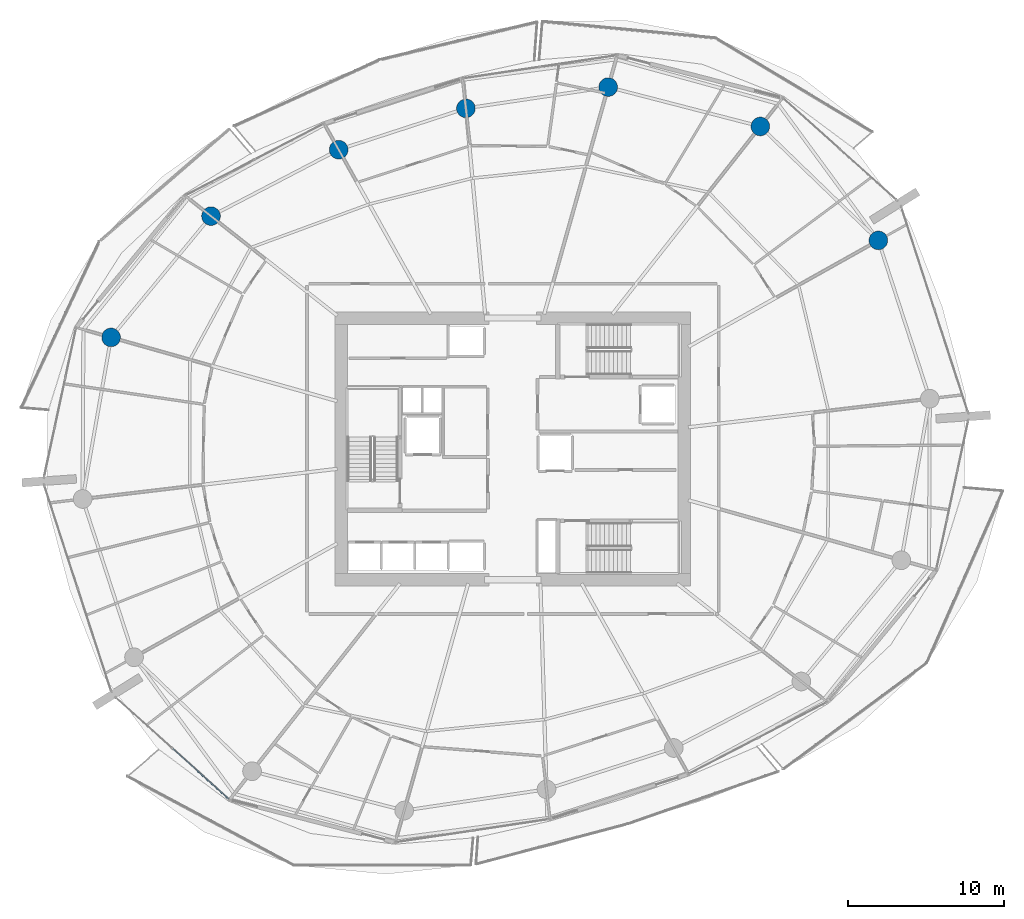
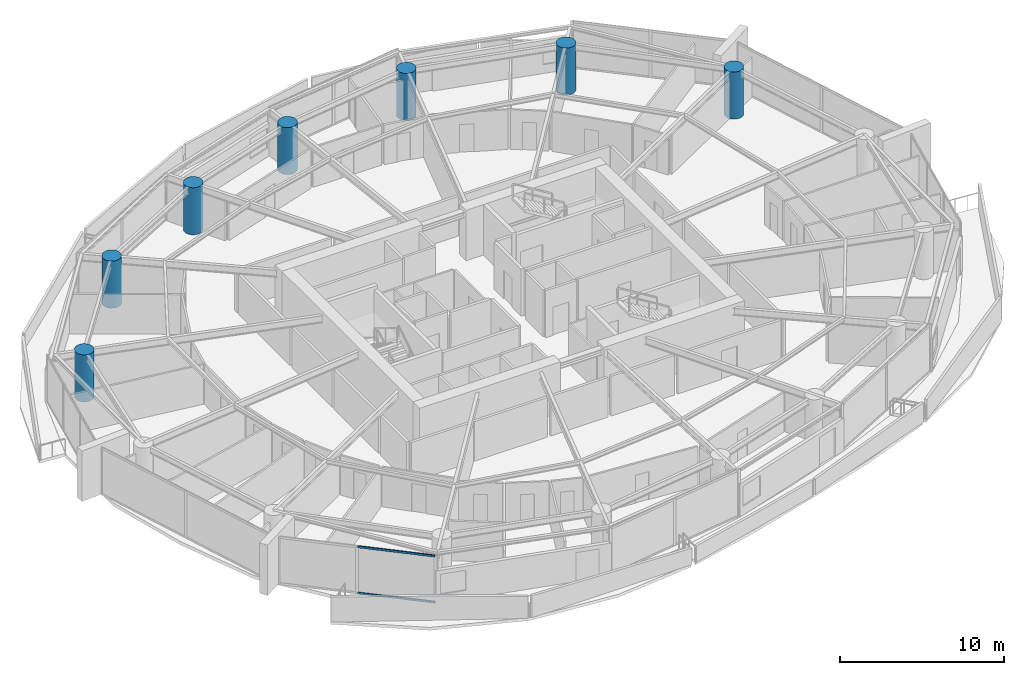
# One storey, part 4 of 22: 7 columns, 2 members, 1 element without a shape of its own.
"""IFC4 building model written with IfcOpenShell, lengths in metres."""

from ifc_helpers import new_model, si_unit, direction, frame, origin, origin_2d, place, context, subcontext, project, spatial, rectangle, circle, extrude, material, layer, layer_set, material_profile, profile_set, type_object, element, aggregate, save


model = new_model("IFC4")

# Units and contexts
model_context = context("Model", 3, precision=1e-05, world=origin(), true_north=direction((0.0, 1.0)))
body_context = subcontext(model_context, "Body", "Model", "MODEL_VIEW")
ifc_project = project(units=[si_unit("LENGTHUNIT", "METRE"), si_unit("AREAUNIT", "SQUARE_METRE"), si_unit("VOLUMEUNIT", "CUBIC_METRE"), si_unit("PLANEANGLEUNIT", "RADIAN"), si_unit("MASSUNIT", "GRAM", prefix="KILO")], contexts=[model_context])

# Site, building, storey
site_placement = place(None, origin())
site = spatial("IfcSite", under=ifc_project, at=site_placement, CompositionType="ELEMENT")
building_placement = place(site_placement, origin())
building = spatial("IfcBuilding", under=site, at=building_placement, Name="Kazma Halo Residences", CompositionType="ELEMENT")
storey_placement = place(building_placement, frame((0.0, 0.0, 90.14990234375)))
storey = spatial("IfcBuildingStorey", under=building, at=storey_placement, Name="L22", CompositionType="ELEMENT", Elevation=90.14990234375)

# Columns
ifc_material_1 = material(Name="Concrete C80/95", Category="concrete")
ifc_material_profile_1 = material_profile(ifc_material_1, circle(Radius=0.60009765625, at=origin_2d()), Name="CIRC1200")
ifc_profile_set_1 = profile_set([ifc_material_profile_1], Name="Concrete C80/95")
column_type = type_object("IfcColumnType", Name="COL-PERIM-1200", PredefinedType="COLUMN", material=ifc_profile_set_1)
for number, where, z_axis, x_axis, name in (
    (1, (71.9033203125, 55.386474609375, 0.0), (0.0, 0.0, 1.0), (1.0, 0.0, 0.0), "L22 perimeter ring column P01"),
    (2, (64.323486328125, 62.706298828125, 0.0), (0.0, 0.0, 1.0), (1.0, 0.0, 0.0), "L22 perimeter ring column P02"),
    (3, (54.552734375, 65.234130859375, 0.0), (0.0, 0.0, 1.0), (1.0, 0.0, 0.0), "L22 perimeter ring column P03"),
    (4, (45.41162109375, 63.869140625, 0.0), (0.0, 0.0, 1.0), (1.0, 0.0, 0.0), "L22 perimeter ring column P04"),
    (5, (37.23974609375, 61.2138671875, 0.0), (0.0, 0.0, 1.0), (1.0, 0.0, 0.0), "L22 perimeter ring column P05"),
    (6, (29.0419921875, 56.9453125, 0.0), (0.0, 0.0, 1.0), (1.0, 0.0, 0.0), "L22 perimeter ring column P06"),
    (7, (22.623291015625, 49.156982421875, 0.0), (0.0, 0.0, 1.0), (1.0, 0.0, 0.0), "L22 perimeter ring column P07"),
):
    element("IfcColumn", number, at=place(storey_placement, frame(where, z_axis=z_axis, x_axis=x_axis)), inside=storey, type_object=column_type, Name=name, PredefinedType="COLUMN", context=body_context, shape_type="SweptSolid", body=[
        extrude(circle(Radius=0.60009765625, at=origin_2d()), origin(), (0.0, 0.0, 1.0), 3.5),
    ])

# Curtain wall, members
ifc_material_2 = material(Name="Aluminium AW-6063 T6 and Triple-Silver Low-E Glass", Category="aluminium")
ifc_layer = layer(ifc_material_2, 0.199951171875)
ifc_layer_set = layer_set([ifc_layer], Name="Aluminium AW-6063 T6 and Triple-Silver Low-E Glass")
curtain_wall_type = type_object("IfcCurtainWallType", Name="CW-SYS-3", PredefinedType="NOTDEFINED", material=ifc_layer_set)
curtain_wall_placement = place(storey_placement, origin())
curtain_wall = element("IfcCurtainWall", 8, at=curtain_wall_placement, inside=storey, type_object=curtain_wall_type, Name="L22 unitised curtain wall B09", PredefinedType="NOTDEFINED")
ifc_material_3 = material(Name="Aluminium AW-6063 T6", Category="aluminium")
ifc_material_profile_2 = material_profile(ifc_material_3, rectangle(XDim=0.070068359375, YDim=0.14990234375, at=origin_2d()), Name="CWT-70x150")
ifc_profile_set_2 = profile_set([ifc_material_profile_2], Name="Aluminium AW-6063 T6")
member_type = type_object("IfcMemberType", Name="CW-SYS-3-TRN", PredefinedType="USERDEFINED", material=ifc_profile_set_2)
member_1_placement = place(storey_placement, frame((26.5947265625, 22.72998046875, 0.03515625), z_axis=(0.744338471453, -0.667802545603, 0.0), x_axis=(0.667802545603, 0.744338471453, 0.0)))
member_1 = element("IfcMember", 9, at=member_1_placement, type_object=member_type, Name="CWS-3 transom 2.1", ObjectType="TRANSOM", PredefinedType="USERDEFINED", context=body_context, shape_type="SweptSolid", body=[
    extrude(rectangle(XDim=0.070068359375, YDim=0.14990234375, at=origin_2d()), origin(), (0.0, 0.0, 1.0), 4.81982421875),
])
member_2_placement = place(storey_placement, frame((26.5947265625, 22.72998046875, 3.465087890625), z_axis=(0.744338471453, -0.667802545603, 0.0), x_axis=(0.667802545603, 0.744338471453, 0.0)))
member_2 = element("IfcMember", 10, at=member_2_placement, type_object=member_type, Name="CWS-3 transom 2.2", ObjectType="TRANSOM", PredefinedType="USERDEFINED", context=body_context, shape_type="SweptSolid", body=[
    extrude(rectangle(XDim=0.070068359375, YDim=0.14990234375, at=origin_2d()), origin(), (0.0, 0.0, 1.0), 4.81982421875),
])
aggregate(curtain_wall, [member_1, member_2])

save(model, "model.ifc")
